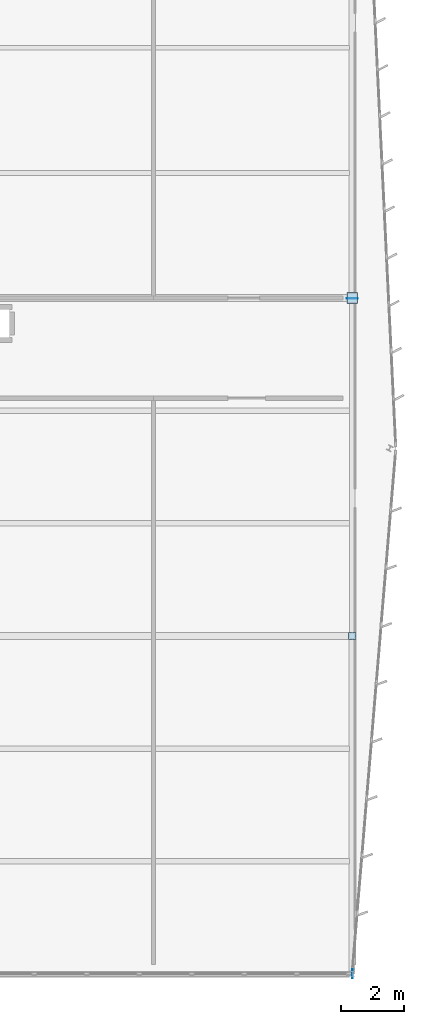
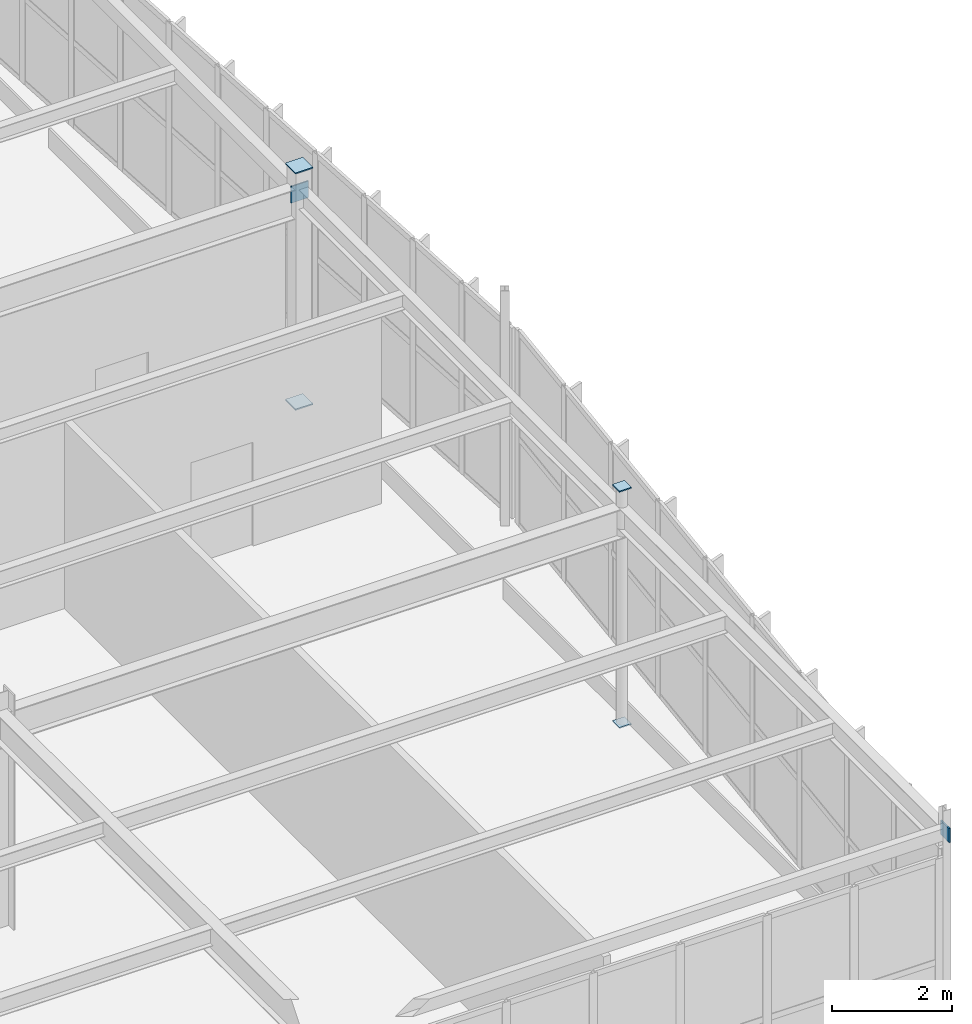
# One storey, part 148 of 186: 6 plates.
"""IFC4 building model written with IfcOpenShell, lengths in metres."""

from ifc_helpers import new_model, si_unit, direction, frame, origin, origin_2d, place, context, subcontext, project, spatial, rectangle, extrude, material, layer, layer_set, type_object, element, save


model = new_model("IFC4")

# Units and contexts
model_context = context("Model", 3, precision=1e-05, world=origin(), true_north=direction((0.0, 1.0)))
body_context = subcontext(model_context, "Body", "Model", "MODEL_VIEW")
ifc_project = project(units=[si_unit("LENGTHUNIT", "METRE"), si_unit("AREAUNIT", "SQUARE_METRE"), si_unit("VOLUMEUNIT", "CUBIC_METRE"), si_unit("PLANEANGLEUNIT", "RADIAN"), si_unit("MASSUNIT", "GRAM", prefix="KILO")], contexts=[model_context])

# Site, building, storey
site_placement = place(None, origin())
site = spatial("IfcSite", under=ifc_project, at=site_placement, CompositionType="ELEMENT")
building_placement = place(site_placement, origin())
building = spatial("IfcBuilding", under=site, at=building_placement, Name="Tarnwether General Hospital", CompositionType="ELEMENT")
storey_placement = place(building_placement, frame((0.0, 0.0, 9.60009765625)))
storey = spatial("IfcBuildingStorey", under=building, at=storey_placement, Name="L02", CompositionType="ELEMENT", Elevation=9.60009765625)

# Plates
ifc_material = material(Name="Steel Grade 350 (350 MPa)", Category="steel")
ifc_layer = layer(ifc_material, 0.02490234375)
ifc_layer_set = layer_set([ifc_layer], Name="Steel Grade 350 (350 MPa)")
plate_type = type_object("IfcPlateType", Name="PT-GUS2", PredefinedType="USERDEFINED", material=ifc_layer_set)
for number, where, z_axis, x_axis, name in (
    (1, (192.0, 10.800048828125, -0.025146484375), (0.0, 0.0, 1.0), (1.0, 0.0, 0.0), "Hollow Section Welded End Cap Plate 0401"),
    (2, (192.0, 10.800048828125, 4.800048828125), (0.0, 0.0, 1.0), (1.0, 0.0, 0.0), "Hollow Section Welded End Cap Plate 0402"),
):
    element("IfcPlate", number, at=place(storey_placement, frame(where, z_axis=z_axis, x_axis=x_axis)), inside=storey, type_object=plate_type, Name=name, ObjectType="GUSSET", PredefinedType="USERDEFINED", context=body_context, shape_type="SweptSolid", body=[
        extrude(rectangle(XDim=0.23388671875, YDim=0.23388671875, at=origin_2d()), origin(), (0.0, 0.0, 1.0), 0.02490234375),
    ])
for number, where, z_axis, x_axis, name in (
    (3, (192.0, 21.60009765625, -0.025146484375), (0.0, 0.0, 1.0), (1.0, 0.0, 0.0), "Hollow Section Welded End Cap Plate 0405"),
    (4, (192.0, 21.60009765625, 4.800048828125), (0.0, 0.0, 1.0), (1.0, 0.0, 0.0), "Hollow Section Welded End Cap Plate 0406"),
):
    element("IfcPlate", number, at=place(storey_placement, frame(where, z_axis=z_axis, x_axis=x_axis)), inside=storey, type_object=plate_type, Name=name, ObjectType="GUSSET", PredefinedType="USERDEFINED", context=body_context, shape_type="SweptSolid", body=[
        extrude(rectangle(XDim=0.340087890625, YDim=0.340087890625, at=origin_2d()), origin(), (0.0, 0.0, 1.0), 0.02490234375),
    ])
plate_1_placement = place(storey_placement, frame((192.012451171875, 0.0, 4.169921875), z_axis=(0.0, 0.0, 1.0), x_axis=(1.0, 0.0, 0.0)))
element("IfcPlate", 5, at=plate_1_placement, inside=storey, type_object=plate_type, Name="Hollow Section Welded End Cap Plate 0972", ObjectType="GUSSET", PredefinedType="USERDEFINED", context=body_context, shape_type="SweptSolid", body=[
    extrude(rectangle(XDim=0.02490234375, YDim=0.2900390625, at=origin_2d()), origin(), (0.0, 0.0, 1.0), 0.2900390625),
])
plate_2_placement = place(storey_placement, frame((192.0, 21.58740234375, 4.11962890625), z_axis=(0.0, 0.0, 1.0), x_axis=(0.0, 1.0, 0.0)))
element("IfcPlate", 6, at=plate_2_placement, inside=storey, type_object=plate_type, Name="Hollow Section Welded End Cap Plate 0975", ObjectType="GUSSET", PredefinedType="USERDEFINED", context=body_context, shape_type="SweptSolid", body=[
    extrude(rectangle(XDim=0.02490234375, YDim=0.340087890625, at=origin_2d()), origin(), (0.0, 0.0, 1.0), 0.340087890625),
])

save(model, "model.ifc")
